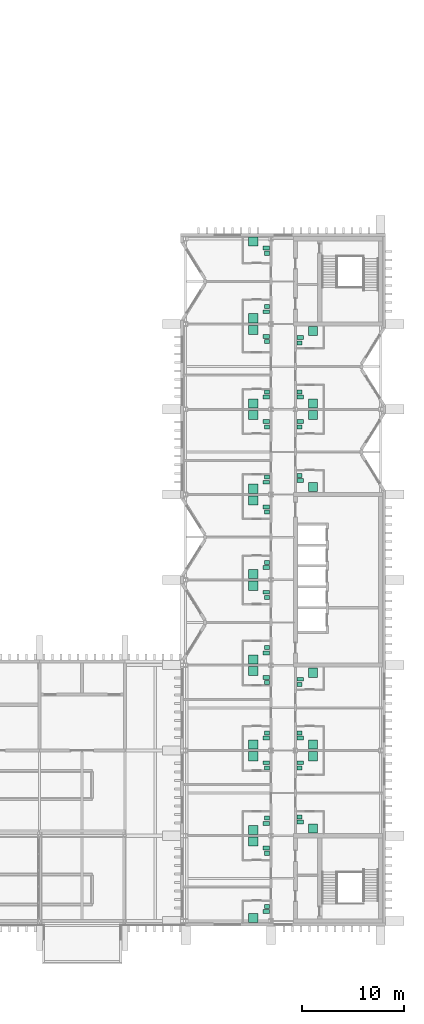
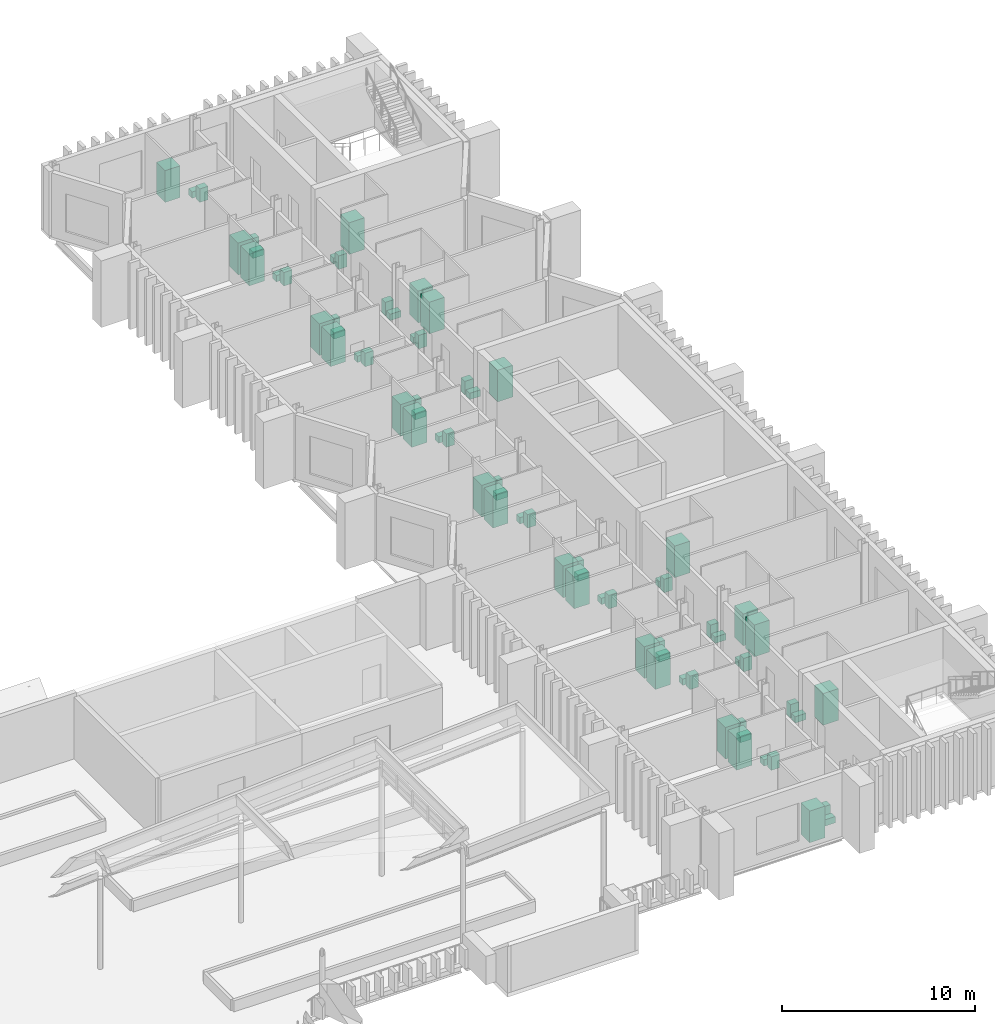
# One storey, part 51 of 51: 72 sanitary terminals.
"""IFC4 building model written with IfcOpenShell, lengths in metres."""

from ifc_helpers import new_model, si_unit, direction, frame, origin, origin_2d, place, context, subcontext, project, spatial, rectangle, extrude, material, type_object, element, save


model = new_model("IFC4")

# Units and contexts
model_context = context("Model", 3, precision=1e-05, world=origin(), true_north=direction((0.0, 1.0)))
body_context = subcontext(model_context, "Body", "Model", "MODEL_VIEW")
ifc_project = project(units=[si_unit("LENGTHUNIT", "METRE"), si_unit("AREAUNIT", "SQUARE_METRE"), si_unit("VOLUMEUNIT", "CUBIC_METRE"), si_unit("PLANEANGLEUNIT", "RADIAN"), si_unit("MASSUNIT", "GRAM", prefix="KILO")], contexts=[model_context])

# Site, building, storey
site_placement = place(None, origin())
site = spatial("IfcSite", under=ifc_project, at=site_placement, CompositionType="ELEMENT")
building_placement = place(site_placement, origin())
building = spatial("IfcBuilding", under=site, at=building_placement, Name="Cresset Court Congress Hotel", CompositionType="ELEMENT")
storey_placement = place(building_placement, frame((0.0, 0.0, 18.60009765625)))
storey = spatial("IfcBuildingStorey", under=building, at=storey_placement, Name="L04", CompositionType="ELEMENT", Elevation=18.60009765625)

# Sanitary terminals
ifc_material_1 = material(Name="Acrylic")
sanitary_terminal_type_1 = type_object("IfcSanitaryTerminalType", Name="Shower enclosure 900x900", PredefinedType="SHOWER", material=ifc_material_1)
for number, where, z_axis, x_axis, name in (
    (1, (163.85009765625, 0.280029296875, 0.0), (0.0, 0.0, 1.0), (1.0, 0.0, 0.0), "Shower enclosure 900x900 0401"),
    (2, (163.85009765625, 7.824951171875, 0.0), (0.0, 0.0, 1.0), (1.0, 0.0, 0.0), "Shower enclosure 900x900 0402"),
    (3, (163.85009765625, 8.97509765625, 0.0), (0.0, 0.0, 1.0), (1.0, 0.0, 0.0), "Shower enclosure 900x900 0403"),
    (4, (163.85009765625, 16.22509765625, 0.0), (0.0, 0.0, 1.0), (1.0, 0.0, 0.0), "Shower enclosure 900x900 0404"),
    (5, (163.85009765625, 17.375, 0.0), (0.0, 0.0, 1.0), (1.0, 0.0, 0.0), "Shower enclosure 900x900 0405"),
    (6, (163.85009765625, 24.625, 0.0), (0.0, 0.0, 1.0), (1.0, 0.0, 0.0), "Shower enclosure 900x900 0406"),
    (7, (163.85009765625, 25.77490234375, 0.0), (0.0, 0.0, 1.0), (1.0, 0.0, 0.0), "Shower enclosure 900x900 0407"),
    (8, (163.85009765625, 33.02490234375, 0.0), (0.0, 0.0, 1.0), (1.0, 0.0, 0.0), "Shower enclosure 900x900 0408"),
    (9, (163.85009765625, 34.175048828125, 0.0), (0.0, 0.0, 1.0), (1.0, 0.0, 0.0), "Shower enclosure 900x900 0409"),
    (10, (163.85009765625, 41.425048828125, 0.0), (0.0, 0.0, 1.0), (1.0, 0.0, 0.0), "Shower enclosure 900x900 0410"),
    (11, (163.85009765625, 42.574951171875, 0.0), (0.0, 0.0, 1.0), (1.0, 0.0, 0.0), "Shower enclosure 900x900 0411"),
    (12, (163.85009765625, 49.824951171875, 0.0), (0.0, 0.0, 1.0), (1.0, 0.0, 0.0), "Shower enclosure 900x900 0412"),
    (13, (163.85009765625, 50.97509765625, 0.0), (0.0, 0.0, 1.0), (1.0, 0.0, 0.0), "Shower enclosure 900x900 0413"),
    (14, (163.85009765625, 58.22509765625, 0.0), (0.0, 0.0, 1.0), (1.0, 0.0, 0.0), "Shower enclosure 900x900 0414"),
    (15, (163.85009765625, 59.375, 0.0), (0.0, 0.0, 1.0), (1.0, 0.0, 0.0), "Shower enclosure 900x900 0415"),
    (16, (163.85009765625, 66.919921875, 0.0), (0.0, 0.0, 1.0), (1.0, 0.0, 0.0), "Shower enclosure 900x900 0416"),
    (17, (169.75, 9.10009765625, 0.0), (0.0, 0.0, 1.0), (1.0, 0.0, 0.0), "Shower enclosure 900x900 0417"),
    (18, (169.75, 16.22509765625, 0.0), (0.0, 0.0, 1.0), (1.0, 0.0, 0.0), "Shower enclosure 900x900 0418"),
    (19, (169.75, 17.375, 0.0), (0.0, 0.0, 1.0), (1.0, 0.0, 0.0), "Shower enclosure 900x900 0419"),
    (20, (169.75, 24.449951171875, 0.0), (0.0, 0.0, 1.0), (1.0, 0.0, 0.0), "Shower enclosure 900x900 0420"),
    (21, (169.75, 42.75, 0.0), (0.0, 0.0, 1.0), (1.0, 0.0, 0.0), "Shower enclosure 900x900 0421"),
    (22, (169.75, 49.824951171875, 0.0), (0.0, 0.0, 1.0), (1.0, 0.0, 0.0), "Shower enclosure 900x900 0422"),
    (23, (169.75, 50.97509765625, 0.0), (0.0, 0.0, 1.0), (1.0, 0.0, 0.0), "Shower enclosure 900x900 0423"),
    (24, (169.75, 58.10009765625, 0.0), (0.0, 0.0, 1.0), (1.0, 0.0, 0.0), "Shower enclosure 900x900 0424"),
):
    element("IfcSanitaryTerminal", number, at=place(storey_placement, frame(where, z_axis=z_axis, x_axis=x_axis)), inside=storey, type_object=sanitary_terminal_type_1, Name=name, PredefinedType="SHOWER", context=body_context, shape_type="SweptSolid", body=[
        extrude(rectangle(XDim=0.89990234375, YDim=0.89990234375, at=origin_2d()), origin(), (0.0, 0.0, 1.0), 2.0),
    ])
ifc_material_2 = material(Name="Vitreous china")
sanitary_terminal_type_2 = type_object("IfcSanitaryTerminalType", Name="Toilet pan 650x380", PredefinedType="TOILETPAN", material=ifc_material_2)
for number, where, z_axis, x_axis, name in (
    (25, (165.125, 0.919921875, 0.0), (0.0, 0.0, 1.0), (1.0, 0.0, 0.0), "Toilet pan 650x380 0401"),
    (26, (165.125, 7.18505859375, 0.0), (0.0, 0.0, 1.0), (1.0, 0.0, 0.0), "Toilet pan 650x380 0402"),
    (27, (165.125, 9.614990234375, 0.0), (0.0, 0.0, 1.0), (1.0, 0.0, 0.0), "Toilet pan 650x380 0403"),
    (28, (165.125, 15.5849609375, 0.0), (0.0, 0.0, 1.0), (1.0, 0.0, 0.0), "Toilet pan 650x380 0404"),
    (29, (165.125, 18.014892578125, 0.0), (0.0, 0.0, 1.0), (1.0, 0.0, 0.0), "Toilet pan 650x380 0405"),
    (30, (165.125, 23.985107421875, 0.0), (0.0, 0.0, 1.0), (1.0, 0.0, 0.0), "Toilet pan 650x380 0406"),
    (31, (165.125, 26.4150390625, 0.0), (0.0, 0.0, 1.0), (1.0, 0.0, 0.0), "Toilet pan 650x380 0407"),
    (32, (165.125, 32.385009765625, 0.0), (0.0, 0.0, 1.0), (1.0, 0.0, 0.0), "Toilet pan 650x380 0408"),
    (33, (165.125, 34.81494140625, 0.0), (0.0, 0.0, 1.0), (1.0, 0.0, 0.0), "Toilet pan 650x380 0409"),
    (34, (165.125, 40.784912109375, 0.0), (0.0, 0.0, 1.0), (1.0, 0.0, 0.0), "Toilet pan 650x380 0410"),
    (35, (165.125, 43.215087890625, 0.0), (0.0, 0.0, 1.0), (1.0, 0.0, 0.0), "Toilet pan 650x380 0411"),
    (36, (165.125, 49.18505859375, 0.0), (0.0, 0.0, 1.0), (1.0, 0.0, 0.0), "Toilet pan 650x380 0412"),
    (37, (165.125, 51.614990234375, 0.0), (0.0, 0.0, 1.0), (1.0, 0.0, 0.0), "Toilet pan 650x380 0413"),
    (38, (165.125, 57.5849609375, 0.0), (0.0, 0.0, 1.0), (1.0, 0.0, 0.0), "Toilet pan 650x380 0414"),
    (39, (165.125, 60.014892578125, 0.0), (0.0, 0.0, 1.0), (1.0, 0.0, 0.0), "Toilet pan 650x380 0415"),
    (40, (165.125, 66.280029296875, 0.0), (0.0, 0.0, 1.0), (1.0, 0.0, 0.0), "Toilet pan 650x380 0416"),
    (41, (168.47509765625, 9.739990234375, 0.0), (0.0, 0.0, 1.0), (1.0, 0.0, 0.0), "Toilet pan 650x380 0417"),
    (42, (168.47509765625, 15.5849609375, 0.0), (0.0, 0.0, 1.0), (1.0, 0.0, 0.0), "Toilet pan 650x380 0418"),
    (43, (168.47509765625, 18.014892578125, 0.0), (0.0, 0.0, 1.0), (1.0, 0.0, 0.0), "Toilet pan 650x380 0419"),
    (44, (168.47509765625, 23.81005859375, 0.0), (0.0, 0.0, 1.0), (1.0, 0.0, 0.0), "Toilet pan 650x380 0420"),
    (45, (168.47509765625, 43.389892578125, 0.0), (0.0, 0.0, 1.0), (1.0, 0.0, 0.0), "Toilet pan 650x380 0421"),
    (46, (168.47509765625, 49.18505859375, 0.0), (0.0, 0.0, 1.0), (1.0, 0.0, 0.0), "Toilet pan 650x380 0422"),
    (47, (168.47509765625, 51.614990234375, 0.0), (0.0, 0.0, 1.0), (1.0, 0.0, 0.0), "Toilet pan 650x380 0423"),
    (48, (168.47509765625, 57.4599609375, 0.0), (0.0, 0.0, 1.0), (1.0, 0.0, 0.0), "Toilet pan 650x380 0424"),
):
    element("IfcSanitaryTerminal", number, at=place(storey_placement, frame(where, z_axis=z_axis, x_axis=x_axis)), inside=storey, type_object=sanitary_terminal_type_2, Name=name, PredefinedType="TOILETPAN", context=body_context, shape_type="SweptSolid", body=[
        extrude(rectangle(XDim=0.64990234375, YDim=0.3798828125, at=origin_2d()), origin(), (0.0, 0.0, 1.0), 0.39990234375),
    ])
ifc_material_3 = material(Name="Vitreous china")
sanitary_terminal_type_3 = type_object("IfcSanitaryTerminalType", Name="Wash basin 500x400", PredefinedType="WASHHANDBASIN", material=ifc_material_3)
for number, where, z_axis, x_axis, name in (
    (49, (165.199951171875, 1.429931640625, -0.000244140625), (0.0, 0.0, 1.0), (1.0, 0.0, 0.0), "Wash basin 500x400 0401"),
    (50, (165.199951171875, 6.675048828125, -0.000244140625), (0.0, 0.0, 1.0), (1.0, 0.0, 0.0), "Wash basin 500x400 0402"),
    (51, (165.199951171875, 10.125, -0.000244140625), (0.0, 0.0, 1.0), (1.0, 0.0, 0.0), "Wash basin 500x400 0403"),
    (52, (165.199951171875, 15.074951171875, -0.000244140625), (0.0, 0.0, 1.0), (1.0, 0.0, 0.0), "Wash basin 500x400 0404"),
    (53, (165.199951171875, 18.52490234375, -0.000244140625), (0.0, 0.0, 1.0), (1.0, 0.0, 0.0), "Wash basin 500x400 0405"),
    (54, (165.199951171875, 23.47509765625, -0.000244140625), (0.0, 0.0, 1.0), (1.0, 0.0, 0.0), "Wash basin 500x400 0406"),
    (55, (165.199951171875, 26.925048828125, -0.000244140625), (0.0, 0.0, 1.0), (1.0, 0.0, 0.0), "Wash basin 500x400 0407"),
    (56, (165.199951171875, 31.875, -0.000244140625), (0.0, 0.0, 1.0), (1.0, 0.0, 0.0), "Wash basin 500x400 0408"),
    (57, (165.199951171875, 35.324951171875, -0.000244140625), (0.0, 0.0, 1.0), (1.0, 0.0, 0.0), "Wash basin 500x400 0409"),
    (58, (165.199951171875, 40.27490234375, -0.000244140625), (0.0, 0.0, 1.0), (1.0, 0.0, 0.0), "Wash basin 500x400 0410"),
    (59, (165.199951171875, 43.72509765625, -0.000244140625), (0.0, 0.0, 1.0), (1.0, 0.0, 0.0), "Wash basin 500x400 0411"),
    (60, (165.199951171875, 48.675048828125, -0.000244140625), (0.0, 0.0, 1.0), (1.0, 0.0, 0.0), "Wash basin 500x400 0412"),
    (61, (165.199951171875, 52.125, -0.000244140625), (0.0, 0.0, 1.0), (1.0, 0.0, 0.0), "Wash basin 500x400 0413"),
    (62, (165.199951171875, 57.074951171875, -0.000244140625), (0.0, 0.0, 1.0), (1.0, 0.0, 0.0), "Wash basin 500x400 0414"),
    (63, (165.199951171875, 60.52490234375, -0.000244140625), (0.0, 0.0, 1.0), (1.0, 0.0, 0.0), "Wash basin 500x400 0415"),
    (64, (165.199951171875, 65.77001953125, -0.000244140625), (0.0, 0.0, 1.0), (1.0, 0.0, 0.0), "Wash basin 500x400 0416"),
    (65, (168.39990234375, 10.25, -0.000244140625), (0.0, 0.0, 1.0), (1.0, 0.0, 0.0), "Wash basin 500x400 0417"),
    (66, (168.39990234375, 15.074951171875, -0.000244140625), (0.0, 0.0, 1.0), (1.0, 0.0, 0.0), "Wash basin 500x400 0418"),
    (67, (168.39990234375, 18.52490234375, -0.000244140625), (0.0, 0.0, 1.0), (1.0, 0.0, 0.0), "Wash basin 500x400 0419"),
    (68, (168.39990234375, 23.300048828125, -0.000244140625), (0.0, 0.0, 1.0), (1.0, 0.0, 0.0), "Wash basin 500x400 0420"),
    (69, (168.39990234375, 43.89990234375, -0.000244140625), (0.0, 0.0, 1.0), (1.0, 0.0, 0.0), "Wash basin 500x400 0421"),
    (70, (168.39990234375, 48.675048828125, -0.000244140625), (0.0, 0.0, 1.0), (1.0, 0.0, 0.0), "Wash basin 500x400 0422"),
    (71, (168.39990234375, 52.125, -0.000244140625), (0.0, 0.0, 1.0), (1.0, 0.0, 0.0), "Wash basin 500x400 0423"),
    (72, (168.39990234375, 56.949951171875, -0.000244140625), (0.0, 0.0, 1.0), (1.0, 0.0, 0.0), "Wash basin 500x400 0424"),
):
    element("IfcSanitaryTerminal", number, at=place(storey_placement, frame(where, z_axis=z_axis, x_axis=x_axis)), inside=storey, type_object=sanitary_terminal_type_3, Name=name, PredefinedType="WASHHANDBASIN", context=body_context, shape_type="SweptSolid", body=[
        extrude(rectangle(XDim=0.5, YDim=0.39990234375, at=origin_2d()), origin(), (0.0, 0.0, 1.0), 0.85009765625),
    ])

save(model, "model.ifc")
